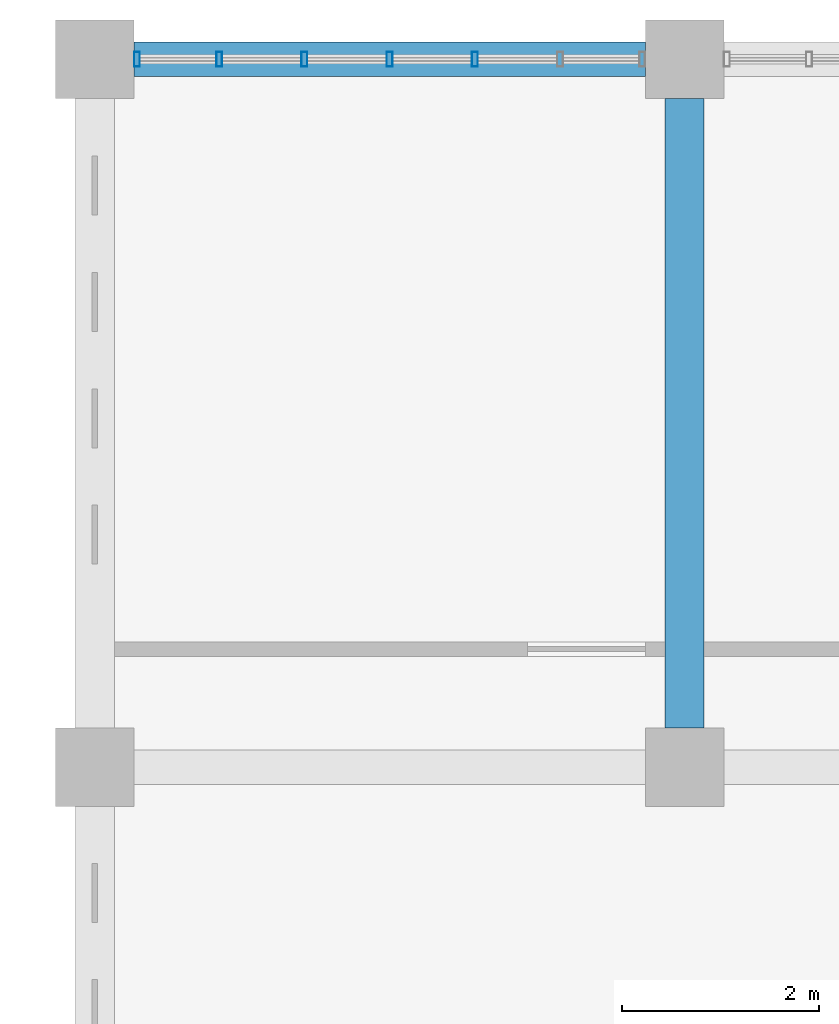
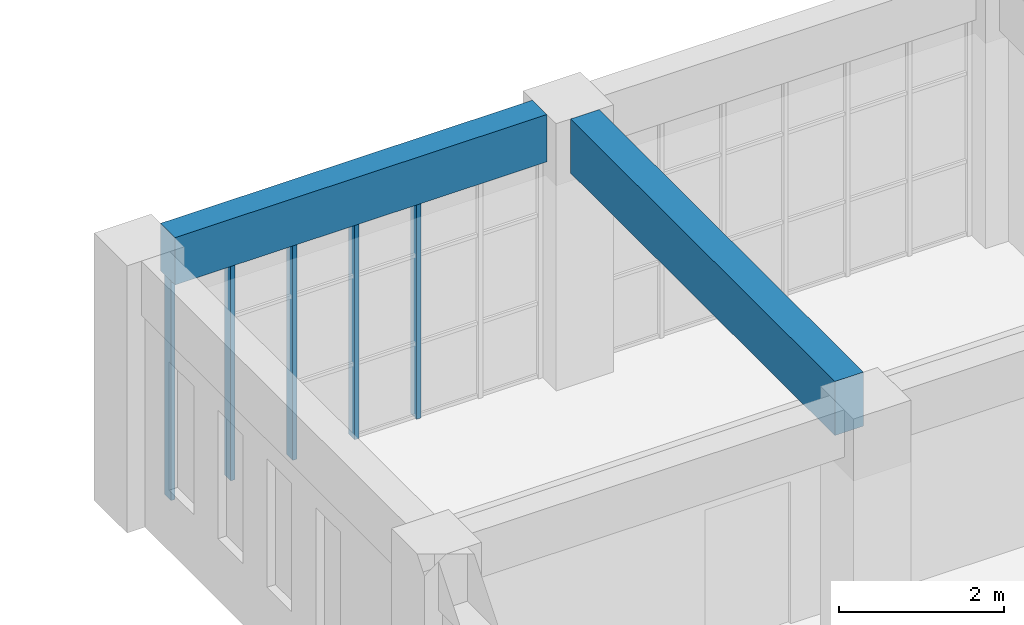
# One storey, part 7 of 51: 5 members, 2 beams, 1 element without a shape of its own.
"""IFC4 building model written with IfcOpenShell, lengths in metres."""

from ifc_helpers import new_model, si_unit, direction, frame, origin, origin_2d, place, context, subcontext, project, spatial, rectangle, hollow_rectangle, extrude, material, material_profile, profile_set, type_object, element, aggregate, save


model = new_model("IFC4")

# Units and contexts
model_context = context("Model", 3, precision=1e-05, world=origin(), true_north=direction((0.0, 1.0)))
body_context = subcontext(model_context, "Body", "Model", "MODEL_VIEW")
ifc_project = project(units=[si_unit("LENGTHUNIT", "METRE"), si_unit("AREAUNIT", "SQUARE_METRE"), si_unit("VOLUMEUNIT", "CUBIC_METRE"), si_unit("PLANEANGLEUNIT", "RADIAN"), si_unit("MASSUNIT", "GRAM", prefix="KILO")], contexts=[model_context])

# Site, building, storey
site_placement = place(None, origin())
site = spatial("IfcSite", under=ifc_project, at=site_placement, CompositionType="ELEMENT")
building_placement = place(site_placement, origin())
building = spatial("IfcBuilding", under=site, at=building_placement, Name="Laocheng Heights Fire and Rescue Headquarters", CompositionType="ELEMENT")
storey_placement = place(building_placement, frame((0.0, 0.0, 21.0)))
storey = spatial("IfcBuildingStorey", under=building, at=storey_placement, Name="L05", CompositionType="ELEMENT", Elevation=21.0)

# Curtain wall, members
ifc_material_1 = material(Name="Dark anodised aluminium unitised curtain wall, low-e double glazing", Category="aluminium")
curtain_wall_type = type_object("IfcCurtainWallType", Name="CW 5200 x 3250 HQ NORTH GLAZING", PredefinedType="NOTDEFINED", material=ifc_material_1)
curtain_wall_placement = place(storey_placement, origin())
curtain_wall = element("IfcCurtainWall", 1, at=curtain_wall_placement, inside=storey, type_object=curtain_wall_type, Name="X26-X HQ NORTH L05", PredefinedType="NOTDEFINED")
ifc_material_2 = material(Name="Dark anodised aluminium 6063-T5 extrusion", Category="aluminium")
ifc_material_profile_1 = material_profile(ifc_material_2, hollow_rectangle(XDim=0.14990234375, YDim=0.06005859375, WallThickness=0.0029296875, at=origin_2d()), Name="AL MULLION 150x60x3 HQ NORTH GLAZING")
ifc_profile_set_1 = profile_set([ifc_material_profile_1], Name="Dark anodised aluminium 6063-T5 extrusion")
member_type = type_object("IfcMemberType", Name="AL MULLION 150x60x3 HQ NORTH GLAZING", PredefinedType="MULLION", material=ifc_profile_set_1)
member_1_placement = place(storey_placement, frame((36.429931640625, 72.0, 0.0), z_axis=(0.0, 0.0, 1.0), x_axis=(0.0, 1.0, 0.0)))
member_1 = element("IfcMember", 2, at=member_1_placement, type_object=member_type, Name="X26-X mullion 1", PredefinedType="MULLION", context=body_context, shape_type="SweptSolid", body=[
    extrude(hollow_rectangle(XDim=0.14990234375, YDim=0.06005859375, WallThickness=0.0029296875, at=origin_2d()), origin(), (0.0, 0.0, 1.0), 3.25),
])
member_2_placement = place(storey_placement, frame((37.2666015625, 72.0, 0.0), z_axis=(0.0, 0.0, 1.0), x_axis=(0.0, 1.0, 0.0)))
member_2 = element("IfcMember", 3, at=member_2_placement, type_object=member_type, Name="X26-X mullion 2", PredefinedType="MULLION", context=body_context, shape_type="SweptSolid", body=[
    extrude(hollow_rectangle(XDim=0.14990234375, YDim=0.06005859375, WallThickness=0.0029296875, at=origin_2d()), origin(), (0.0, 0.0, 1.0), 3.25),
])
member_3_placement = place(storey_placement, frame((38.13330078125, 72.0, 0.0), z_axis=(0.0, 0.0, 1.0), x_axis=(0.0, 1.0, 0.0)))
member_3 = element("IfcMember", 4, at=member_3_placement, type_object=member_type, Name="X26-X mullion 3", PredefinedType="MULLION", context=body_context, shape_type="SweptSolid", body=[
    extrude(hollow_rectangle(XDim=0.14990234375, YDim=0.06005859375, WallThickness=0.0029296875, at=origin_2d()), origin(), (0.0, 0.0, 1.0), 3.25),
])
member_4_placement = place(storey_placement, frame((39.0, 72.0, 0.0), z_axis=(0.0, 0.0, 1.0), x_axis=(0.0, 1.0, 0.0)))
member_4 = element("IfcMember", 5, at=member_4_placement, type_object=member_type, Name="X26-X mullion 4", PredefinedType="MULLION", context=body_context, shape_type="SweptSolid", body=[
    extrude(hollow_rectangle(XDim=0.14990234375, YDim=0.06005859375, WallThickness=0.0029296875, at=origin_2d()), origin(), (0.0, 0.0, 1.0), 3.25),
])
member_5_placement = place(storey_placement, frame((39.86669921875, 72.0, 0.0), z_axis=(0.0, 0.0, 1.0), x_axis=(0.0, 1.0, 0.0)))
member_5 = element("IfcMember", 6, at=member_5_placement, type_object=member_type, Name="X26-X mullion 5", PredefinedType="MULLION", context=body_context, shape_type="SweptSolid", body=[
    extrude(hollow_rectangle(XDim=0.14990234375, YDim=0.06005859375, WallThickness=0.0029296875, at=origin_2d()), origin(), (0.0, 0.0, 1.0), 3.25),
])
aggregate(curtain_wall, [member_1, member_2, member_3, member_4, member_5])

# Beams
ifc_material_3 = material(Name="Concrete C40", Category="concrete")
ifc_material_profile_2 = material_profile(ifc_material_3, rectangle(XDim=0.35009765625, YDim=0.699951171875, at=origin_2d()), Name="RC BEAM 350x700 HQ ROOF")
ifc_profile_set_2 = profile_set([ifc_material_profile_2], Name="Concrete C40")
beam_type_1 = type_object("IfcBeamType", Name="RC BEAM 350x700 HQ ROOF", PredefinedType="BEAM", material=ifc_profile_set_2)
beam_1_placement = place(storey_placement, frame((36.39990234375, 72.0, 3.60009765625), z_axis=(1.0, 0.0, 0.0), x_axis=(0.0, 1.0, 0.0)))
element("IfcBeam", 7, at=beam_1_placement, inside=storey, type_object=beam_type_1, Name="HQ beam L05", PredefinedType="BEAM", context=body_context, shape_type="SweptSolid", body=[
    extrude(rectangle(XDim=0.35009765625, YDim=0.699951171875, at=origin_2d()), origin(), (0.0, 0.0, 1.0), 5.2001953125),
])
ifc_material_4 = material(Name="Concrete C40", Category="concrete")
ifc_material_profile_3 = material_profile(ifc_material_4, rectangle(XDim=0.39990234375, YDim=0.800048828125, at=origin_2d()), Name="RC BEAM 400x800 HQ ROOF")
ifc_profile_set_3 = profile_set([ifc_material_profile_3], Name="Concrete C40")
beam_type_2 = type_object("IfcBeamType", Name="RC BEAM 400x800 HQ ROOF", PredefinedType="BEAM", material=ifc_profile_set_3)
beam_2_placement = place(storey_placement, frame((42.0, 65.199951171875, 3.550048828125), z_axis=(0.0, 1.0, 0.0), x_axis=(-1.0, 0.0, 0.0)))
element("IfcBeam", 8, at=beam_2_placement, inside=storey, type_object=beam_type_2, Name="HQ beam L05", PredefinedType="BEAM", context=body_context, shape_type="SweptSolid", body=[
    extrude(rectangle(XDim=0.39990234375, YDim=0.800048828125, at=origin_2d()), origin(), (0.0, 0.0, 1.0), 6.400146484375),
])

save(model, "model.ifc")
